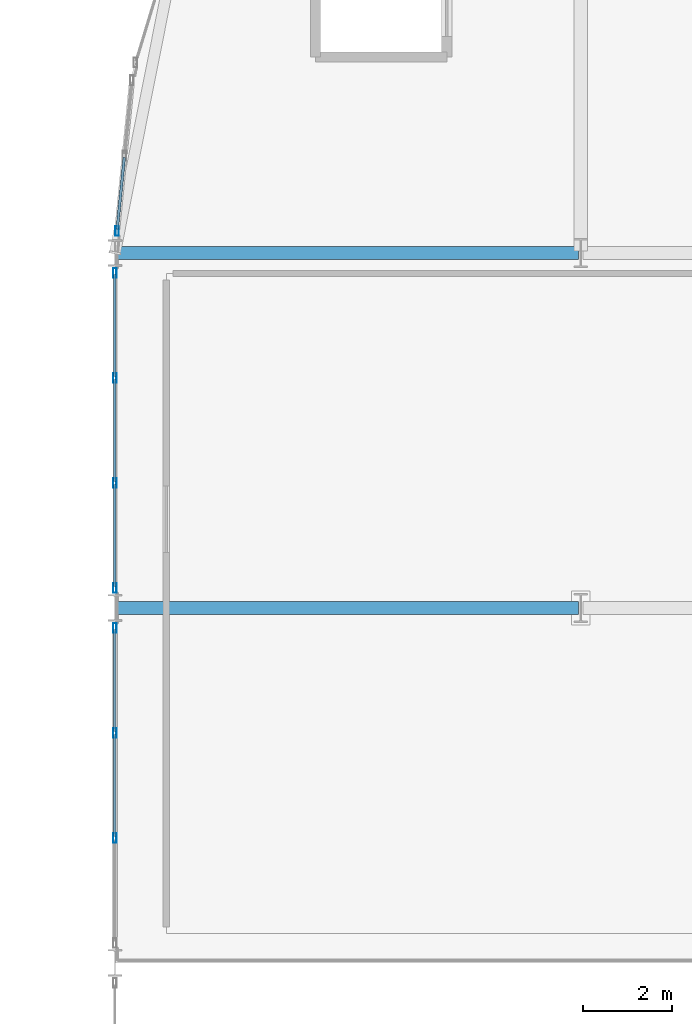
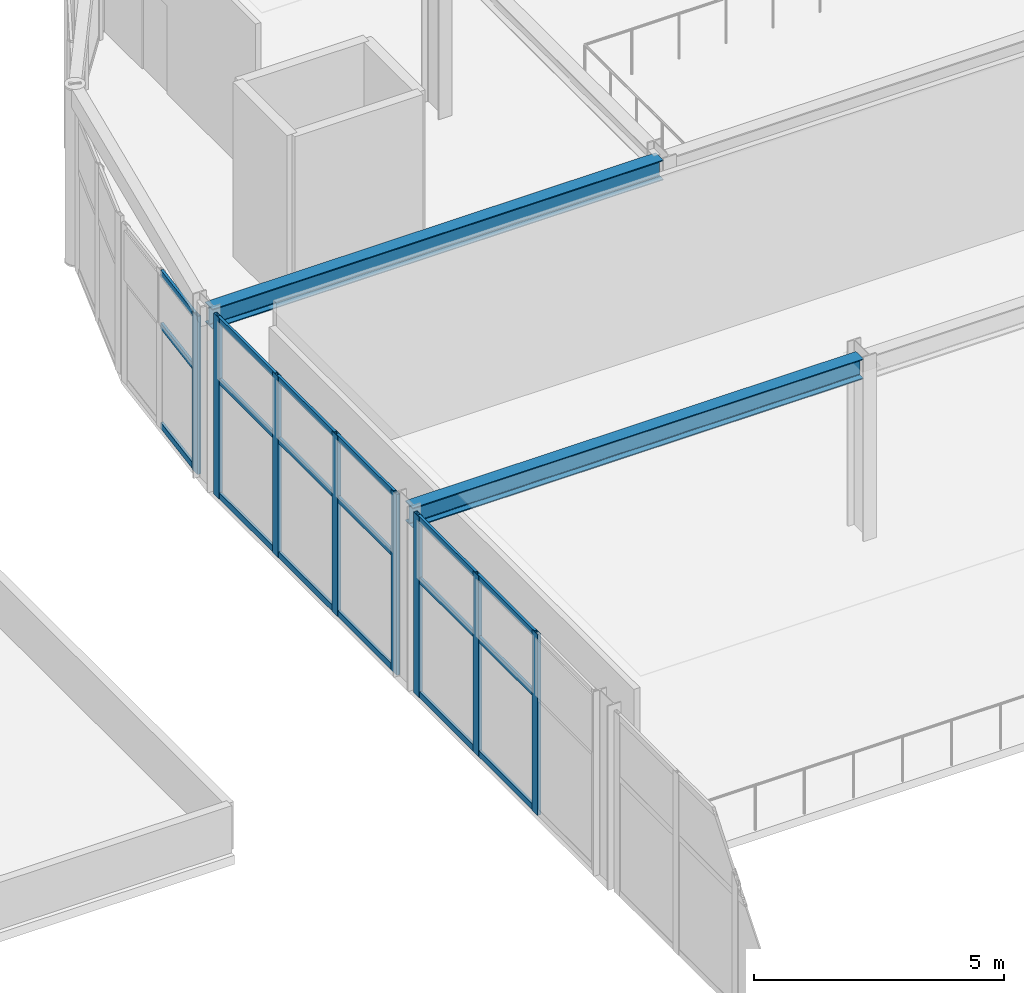
# One storey, part 32 of 105: 26 members, 2 beams, 3 elements without a shape of their own.
"""IFC4 building model written with IfcOpenShell, lengths in metres."""

from ifc_helpers import new_model, si_unit, direction, frame, origin, origin_2d, place, context, subcontext, project, spatial, hollow_rectangle, i_section, extrude, material, layer, layer_set, material_profile, profile_set, type_object, element, aggregate, save


model = new_model("IFC4")

# Units and contexts
model_context = context("Model", 3, precision=1e-05, world=origin(), true_north=direction((0.0, 1.0)))
body_context = subcontext(model_context, "Body", "Model", "MODEL_VIEW")
ifc_project = project(units=[si_unit("LENGTHUNIT", "METRE"), si_unit("AREAUNIT", "SQUARE_METRE"), si_unit("VOLUMEUNIT", "CUBIC_METRE"), si_unit("PLANEANGLEUNIT", "RADIAN"), si_unit("MASSUNIT", "GRAM", prefix="KILO")], contexts=[model_context])

# Site, building, storey
site_placement = place(None, origin())
site = spatial("IfcSite", under=ifc_project, at=site_placement, CompositionType="ELEMENT")
building_placement = place(site_placement, origin())
building = spatial("IfcBuilding", under=site, at=building_placement, Name="Marlcrest Central Station", CompositionType="ELEMENT")
storey_placement = place(building_placement, frame((0.0, 0.0, 15.0)))
storey = spatial("IfcBuildingStorey", under=building, at=storey_placement, Name="L03", CompositionType="ELEMENT", Elevation=15.0)

# Beams
ifc_material_1 = material(Name="Steel S355", Category="steel")
ifc_material_profile_1 = material_profile(ifc_material_1, i_section(OverallWidth=0.300048828125, OverallDepth=0.489990234375, WebThickness=0.011962890625, FlangeThickness=0.02294921875, FilletRadius=0.027099609375, at=origin_2d()), Name="HEA 500")
ifc_profile_set_1 = profile_set([ifc_material_profile_1], Name="Steel S355")
beam_type = type_object("IfcBeamType", Name="BM-10", PredefinedType="BEAM", material=ifc_profile_set_1)
for number, where, z_axis, x_axis, name in (
    (1, (87.050048828125, 102.5, 4.074951171875), (1.0, 0.0, 0.0), (0.0, 1.0, 0.0), "bm-BM-10-L03-01221"),
    (2, (87.050048828125, 110.5, 4.074951171875), (1.0, 0.0, 0.0), (0.0, 1.0, 0.0), "bm-BM-10-L03-01228"),
):
    element("IfcBeam", number, at=place(storey_placement, frame(where, z_axis=z_axis, x_axis=x_axis)), inside=storey, type_object=beam_type, Name=name, PredefinedType="BEAM", context=body_context, shape_type="SweptSolid", body=[
        extrude(i_section(OverallWidth=0.300048828125, OverallDepth=0.489990234375, WebThickness=0.011962890625, FlangeThickness=0.02294921875, FilletRadius=0.027099609375, at=origin_2d()), origin(), (0.0, 0.0, 1.0), 10.39990234375),
    ])

# Curtain wall, member
ifc_material_2 = material(Name="Anodised aluminium and hurricane laminated glass", Category="aluminium")
ifc_layer = layer(ifc_material_2, 0.219970703125, Name="CW-U1")
ifc_layer_set = layer_set([ifc_layer], Name="Anodised aluminium and hurricane laminated glass")
curtain_wall_type = type_object("IfcCurtainWallType", Name="CW-U1", PredefinedType="USERDEFINED", material=ifc_layer_set)
curtain_wall_1_placement = place(storey_placement, origin())
curtain_wall_1 = element("IfcCurtainWall", 3, at=curtain_wall_1_placement, inside=storey, type_object=curtain_wall_type, Name="cw-L03-0083", ObjectType="UNITISED_CURTAIN_WALL", PredefinedType="USERDEFINED")
ifc_material_3 = material(Name="Anodised aluminium 6063-T6", Category="aluminium")
ifc_material_profile_2 = material_profile(ifc_material_3, hollow_rectangle(XDim=0.080078125, YDim=0.219970703125, WallThickness=0.006103515625, at=origin_2d()), Name="AA-RHS 220x80x6")
ifc_profile_set_2 = profile_set([ifc_material_profile_2], Name="Anodised aluminium 6063-T6")
member_type_1 = type_object("IfcMemberType", Name="ML-01", PredefinedType="MULLION", material=ifc_profile_set_2)
member_1_placement = place(storey_placement, frame((87.049072265625, 110.998291015625, -0.030029296875), z_axis=(0.0, 0.0, 1.0), x_axis=(1.0, 0.0, 0.0)))
member_1 = element("IfcMember", 4, at=member_1_placement, type_object=member_type_1, Name="cw-L03-0083-ml-0", PredefinedType="MULLION", context=body_context, shape_type="SweptSolid", body=[
    extrude(hollow_rectangle(XDim=0.080078125, YDim=0.219970703125, WallThickness=0.006103515625, at=origin_2d()), origin(), (0.0, 0.0, 1.0), 3.860107421875),
])

# Curtain wall, members
curtain_wall_2_placement = place(storey_placement, origin())
curtain_wall_2 = element("IfcCurtainWall", 5, at=curtain_wall_2_placement, inside=storey, type_object=curtain_wall_type, Name="cw-L03-0137", ObjectType="UNITISED_CURTAIN_WALL", PredefinedType="USERDEFINED")
member_2_placement = place(storey_placement, frame((87.0, 97.316650390625, -0.030029296875), z_axis=(0.0, 0.0, 1.0), x_axis=(1.0, 0.0, 0.0)))
member_2 = element("IfcMember", 6, at=member_2_placement, type_object=member_type_1, Name="cw-L03-0137-ml-1", PredefinedType="MULLION", context=body_context, shape_type="SweptSolid", body=[
    extrude(hollow_rectangle(XDim=0.080078125, YDim=0.219970703125, WallThickness=0.006103515625, at=origin_2d()), origin(), (0.0, 0.0, 1.0), 4.409912109375),
])
member_3_placement = place(storey_placement, frame((87.0, 99.683349609375, -0.030029296875), z_axis=(0.0, 0.0, 1.0), x_axis=(1.0, 0.0, 0.0)))
member_3 = element("IfcMember", 7, at=member_3_placement, type_object=member_type_1, Name="cw-L03-0137-ml-2", PredefinedType="MULLION", context=body_context, shape_type="SweptSolid", body=[
    extrude(hollow_rectangle(XDim=0.080078125, YDim=0.219970703125, WallThickness=0.006103515625, at=origin_2d()), origin(), (0.0, 0.0, 1.0), 4.409912109375),
])
member_4_placement = place(storey_placement, frame((87.0, 102.050048828125, -0.030029296875), z_axis=(0.0, 0.0, 1.0), x_axis=(1.0, 0.0, 0.0)))
member_4 = element("IfcMember", 8, at=member_4_placement, type_object=member_type_1, Name="cw-L03-0137-ml-3", PredefinedType="MULLION", context=body_context, shape_type="SweptSolid", body=[
    extrude(hollow_rectangle(XDim=0.080078125, YDim=0.219970703125, WallThickness=0.006103515625, at=origin_2d()), origin(), (0.0, 0.0, 1.0), 4.409912109375),
])

curtain_wall_3_placement = place(storey_placement, origin())
curtain_wall_3 = element("IfcCurtainWall", 9, at=curtain_wall_3_placement, inside=storey, type_object=curtain_wall_type, Name="cw-L03-0141", ObjectType="UNITISED_CURTAIN_WALL", PredefinedType="USERDEFINED")
member_5_placement = place(storey_placement, frame((87.0, 102.949951171875, -0.030029296875), z_axis=(0.0, 0.0, 1.0), x_axis=(1.0, 0.0, 0.0)))
member_5 = element("IfcMember", 10, at=member_5_placement, type_object=member_type_1, Name="cw-L03-0141-ml-0", PredefinedType="MULLION", context=body_context, shape_type="SweptSolid", body=[
    extrude(hollow_rectangle(XDim=0.080078125, YDim=0.219970703125, WallThickness=0.006103515625, at=origin_2d()), origin(), (0.0, 0.0, 1.0), 4.409912109375),
])
member_6_placement = place(storey_placement, frame((87.0, 105.316650390625, -0.030029296875), z_axis=(0.0, 0.0, 1.0), x_axis=(1.0, 0.0, 0.0)))
member_6 = element("IfcMember", 11, at=member_6_placement, type_object=member_type_1, Name="cw-L03-0141-ml-1", PredefinedType="MULLION", context=body_context, shape_type="SweptSolid", body=[
    extrude(hollow_rectangle(XDim=0.080078125, YDim=0.219970703125, WallThickness=0.006103515625, at=origin_2d()), origin(), (0.0, 0.0, 1.0), 4.409912109375),
])
member_7_placement = place(storey_placement, frame((87.0, 107.683349609375, -0.030029296875), z_axis=(0.0, 0.0, 1.0), x_axis=(1.0, 0.0, 0.0)))
member_7 = element("IfcMember", 12, at=member_7_placement, type_object=member_type_1, Name="cw-L03-0141-ml-2", PredefinedType="MULLION", context=body_context, shape_type="SweptSolid", body=[
    extrude(hollow_rectangle(XDim=0.080078125, YDim=0.219970703125, WallThickness=0.006103515625, at=origin_2d()), origin(), (0.0, 0.0, 1.0), 4.409912109375),
])
member_8_placement = place(storey_placement, frame((87.0, 110.050048828125, -0.030029296875), z_axis=(0.0, 0.0, 1.0), x_axis=(1.0, 0.0, 0.0)))
member_8 = element("IfcMember", 13, at=member_8_placement, type_object=member_type_1, Name="cw-L03-0141-ml-3", PredefinedType="MULLION", context=body_context, shape_type="SweptSolid", body=[
    extrude(hollow_rectangle(XDim=0.080078125, YDim=0.219970703125, WallThickness=0.006103515625, at=origin_2d()), origin(), (0.0, 0.0, 1.0), 4.409912109375),
])

# Member
ifc_material_profile_3 = material_profile(ifc_material_3, hollow_rectangle(XDim=0.06005859375, YDim=0.14990234375, WallThickness=0.00390625, at=origin_2d()), Name="AA-RHS 150x60x4")
ifc_profile_set_3 = profile_set([ifc_material_profile_3], Name="Anodised aluminium 6063-T6")
member_type_2 = type_object("IfcMemberType", Name="TR-01", PredefinedType="USERDEFINED", material=ifc_profile_set_3)
member_9_placement = place(storey_placement, frame((87.052978515625, 111.0361328125, 0.0400390625), z_axis=(0.098005057893, 0.995185916614, 0.0), x_axis=(-0.995185916614, 0.098005057893, 0.0)))
member_9 = element("IfcMember", 14, at=member_9_placement, type_object=member_type_2, Name="cw-L03-0083-tr-0-sill", ObjectType="TRANSOM", PredefinedType="USERDEFINED", context=body_context, shape_type="SweptSolid", body=[
    extrude(hollow_rectangle(XDim=0.06005859375, YDim=0.14990234375, WallThickness=0.00390625, at=origin_2d()), origin(), (0.0, 0.0, 1.0), 1.629150390625),
])

member_10_placement = place(storey_placement, frame((87.052978515625, 111.0361328125, 2.469970703125), z_axis=(0.098005057893, 0.995185916614, 0.0), x_axis=(-0.995185916614, 0.098005057893, 0.0)))
member_10 = element("IfcMember", 15, at=member_10_placement, type_object=member_type_2, Name="cw-L03-0083-tr-0-mid", ObjectType="TRANSOM", PredefinedType="USERDEFINED", context=body_context, shape_type="SweptSolid", body=[
    extrude(hollow_rectangle(XDim=0.06005859375, YDim=0.14990234375, WallThickness=0.00390625, at=origin_2d()), origin(), (0.0, 0.0, 1.0), 1.629150390625),
])

member_11_placement = place(storey_placement, frame((87.052978515625, 111.0361328125, 3.760009765625), z_axis=(0.098005057893, 0.995185916614, 0.0), x_axis=(-0.995185916614, 0.098005057893, 0.0)))
member_11 = element("IfcMember", 16, at=member_11_placement, type_object=member_type_2, Name="cw-L03-0083-tr-0-head", ObjectType="TRANSOM", PredefinedType="USERDEFINED", context=body_context, shape_type="SweptSolid", body=[
    extrude(hollow_rectangle(XDim=0.06005859375, YDim=0.14990234375, WallThickness=0.00390625, at=origin_2d()), origin(), (0.0, 0.0, 1.0), 1.629150390625),
])

aggregate(curtain_wall_1, [member_1, member_9, member_10, member_11])

member_12_placement = place(storey_placement, frame((87.0, 97.354736328125, 0.0400390625), z_axis=(0.0, 1.0, 0.0), x_axis=(-1.0, 0.0, 0.0)))
member_12 = element("IfcMember", 17, at=member_12_placement, type_object=member_type_2, Name="cw-L03-0137-tr-1-sill", ObjectType="TRANSOM", PredefinedType="USERDEFINED", context=body_context, shape_type="SweptSolid", body=[
    extrude(hollow_rectangle(XDim=0.06005859375, YDim=0.14990234375, WallThickness=0.00390625, at=origin_2d()), origin(), (0.0, 0.0, 1.0), 2.29052734375),
])

member_13_placement = place(storey_placement, frame((87.0, 97.354736328125, 2.827880859375), z_axis=(0.0, 1.0, 0.0), x_axis=(-1.0, 0.0, 0.0)))
member_13 = element("IfcMember", 18, at=member_13_placement, type_object=member_type_2, Name="cw-L03-0137-tr-1-mid", ObjectType="TRANSOM", PredefinedType="USERDEFINED", context=body_context, shape_type="SweptSolid", body=[
    extrude(hollow_rectangle(XDim=0.06005859375, YDim=0.14990234375, WallThickness=0.00390625, at=origin_2d()), origin(), (0.0, 0.0, 1.0), 2.29052734375),
])

member_14_placement = place(storey_placement, frame((87.0, 97.354736328125, 4.31005859375), z_axis=(0.0, 1.0, 0.0), x_axis=(-1.0, 0.0, 0.0)))
member_14 = element("IfcMember", 19, at=member_14_placement, type_object=member_type_2, Name="cw-L03-0137-tr-1-head", ObjectType="TRANSOM", PredefinedType="USERDEFINED", context=body_context, shape_type="SweptSolid", body=[
    extrude(hollow_rectangle(XDim=0.06005859375, YDim=0.14990234375, WallThickness=0.00390625, at=origin_2d()), origin(), (0.0, 0.0, 1.0), 2.29052734375),
])

member_15_placement = place(storey_placement, frame((87.0, 99.72119140625, 0.0400390625), z_axis=(0.0, 1.0, 0.0), x_axis=(-1.0, 0.0, 0.0)))
member_15 = element("IfcMember", 20, at=member_15_placement, type_object=member_type_2, Name="cw-L03-0137-tr-2-sill", ObjectType="TRANSOM", PredefinedType="USERDEFINED", context=body_context, shape_type="SweptSolid", body=[
    extrude(hollow_rectangle(XDim=0.06005859375, YDim=0.14990234375, WallThickness=0.00390625, at=origin_2d()), origin(), (0.0, 0.0, 1.0), 2.290771484375),
])

member_16_placement = place(storey_placement, frame((87.0, 99.72119140625, 2.827880859375), z_axis=(0.0, 1.0, 0.0), x_axis=(-1.0, 0.0, 0.0)))
member_16 = element("IfcMember", 21, at=member_16_placement, type_object=member_type_2, Name="cw-L03-0137-tr-2-mid", ObjectType="TRANSOM", PredefinedType="USERDEFINED", context=body_context, shape_type="SweptSolid", body=[
    extrude(hollow_rectangle(XDim=0.06005859375, YDim=0.14990234375, WallThickness=0.00390625, at=origin_2d()), origin(), (0.0, 0.0, 1.0), 2.290771484375),
])

member_17_placement = place(storey_placement, frame((87.0, 99.72119140625, 4.31005859375), z_axis=(0.0, 1.0, 0.0), x_axis=(-1.0, 0.0, 0.0)))
member_17 = element("IfcMember", 22, at=member_17_placement, type_object=member_type_2, Name="cw-L03-0137-tr-2-head", ObjectType="TRANSOM", PredefinedType="USERDEFINED", context=body_context, shape_type="SweptSolid", body=[
    extrude(hollow_rectangle(XDim=0.06005859375, YDim=0.14990234375, WallThickness=0.00390625, at=origin_2d()), origin(), (0.0, 0.0, 1.0), 2.290771484375),
])

aggregate(curtain_wall_2, [member_2, member_3, member_4, member_12, member_13, member_14, member_15, member_16, member_17])

member_18_placement = place(storey_placement, frame((87.0, 102.988037109375, 0.0400390625), z_axis=(0.0, 1.0, 0.0), x_axis=(-1.0, 0.0, 0.0)))
member_18 = element("IfcMember", 23, at=member_18_placement, type_object=member_type_2, Name="cw-L03-0141-tr-0-sill", ObjectType="TRANSOM", PredefinedType="USERDEFINED", context=body_context, shape_type="SweptSolid", body=[
    extrude(hollow_rectangle(XDim=0.06005859375, YDim=0.14990234375, WallThickness=0.00390625, at=origin_2d()), origin(), (0.0, 0.0, 1.0), 2.290771484375),
])

member_19_placement = place(storey_placement, frame((87.0, 102.988037109375, 2.827880859375), z_axis=(0.0, 1.0, 0.0), x_axis=(-1.0, 0.0, 0.0)))
member_19 = element("IfcMember", 24, at=member_19_placement, type_object=member_type_2, Name="cw-L03-0141-tr-0-mid", ObjectType="TRANSOM", PredefinedType="USERDEFINED", context=body_context, shape_type="SweptSolid", body=[
    extrude(hollow_rectangle(XDim=0.06005859375, YDim=0.14990234375, WallThickness=0.00390625, at=origin_2d()), origin(), (0.0, 0.0, 1.0), 2.290771484375),
])

member_20_placement = place(storey_placement, frame((87.0, 102.988037109375, 4.31005859375), z_axis=(0.0, 1.0, 0.0), x_axis=(-1.0, 0.0, 0.0)))
member_20 = element("IfcMember", 25, at=member_20_placement, type_object=member_type_2, Name="cw-L03-0141-tr-0-head", ObjectType="TRANSOM", PredefinedType="USERDEFINED", context=body_context, shape_type="SweptSolid", body=[
    extrude(hollow_rectangle(XDim=0.06005859375, YDim=0.14990234375, WallThickness=0.00390625, at=origin_2d()), origin(), (0.0, 0.0, 1.0), 2.290771484375),
])

member_21_placement = place(storey_placement, frame((87.0, 105.354736328125, 0.0400390625), z_axis=(0.0, 1.0, 0.0), x_axis=(-1.0, 0.0, 0.0)))
member_21 = element("IfcMember", 26, at=member_21_placement, type_object=member_type_2, Name="cw-L03-0141-tr-1-sill", ObjectType="TRANSOM", PredefinedType="USERDEFINED", context=body_context, shape_type="SweptSolid", body=[
    extrude(hollow_rectangle(XDim=0.06005859375, YDim=0.14990234375, WallThickness=0.00390625, at=origin_2d()), origin(), (0.0, 0.0, 1.0), 2.29052734375),
])

member_22_placement = place(storey_placement, frame((87.0, 105.354736328125, 2.827880859375), z_axis=(0.0, 1.0, 0.0), x_axis=(-1.0, 0.0, 0.0)))
member_22 = element("IfcMember", 27, at=member_22_placement, type_object=member_type_2, Name="cw-L03-0141-tr-1-mid", ObjectType="TRANSOM", PredefinedType="USERDEFINED", context=body_context, shape_type="SweptSolid", body=[
    extrude(hollow_rectangle(XDim=0.06005859375, YDim=0.14990234375, WallThickness=0.00390625, at=origin_2d()), origin(), (0.0, 0.0, 1.0), 2.29052734375),
])

member_23_placement = place(storey_placement, frame((87.0, 105.354736328125, 4.31005859375), z_axis=(0.0, 1.0, 0.0), x_axis=(-1.0, 0.0, 0.0)))
member_23 = element("IfcMember", 28, at=member_23_placement, type_object=member_type_2, Name="cw-L03-0141-tr-1-head", ObjectType="TRANSOM", PredefinedType="USERDEFINED", context=body_context, shape_type="SweptSolid", body=[
    extrude(hollow_rectangle(XDim=0.06005859375, YDim=0.14990234375, WallThickness=0.00390625, at=origin_2d()), origin(), (0.0, 0.0, 1.0), 2.29052734375),
])

member_24_placement = place(storey_placement, frame((87.0, 107.72119140625, 0.0400390625), z_axis=(0.0, 1.0, 0.0), x_axis=(-1.0, 0.0, 0.0)))
member_24 = element("IfcMember", 29, at=member_24_placement, type_object=member_type_2, Name="cw-L03-0141-tr-2-sill", ObjectType="TRANSOM", PredefinedType="USERDEFINED", context=body_context, shape_type="SweptSolid", body=[
    extrude(hollow_rectangle(XDim=0.06005859375, YDim=0.14990234375, WallThickness=0.00390625, at=origin_2d()), origin(), (0.0, 0.0, 1.0), 2.290771484375),
])

member_25_placement = place(storey_placement, frame((87.0, 107.72119140625, 2.827880859375), z_axis=(0.0, 1.0, 0.0), x_axis=(-1.0, 0.0, 0.0)))
member_25 = element("IfcMember", 30, at=member_25_placement, type_object=member_type_2, Name="cw-L03-0141-tr-2-mid", ObjectType="TRANSOM", PredefinedType="USERDEFINED", context=body_context, shape_type="SweptSolid", body=[
    extrude(hollow_rectangle(XDim=0.06005859375, YDim=0.14990234375, WallThickness=0.00390625, at=origin_2d()), origin(), (0.0, 0.0, 1.0), 2.290771484375),
])

member_26_placement = place(storey_placement, frame((87.0, 107.72119140625, 4.31005859375), z_axis=(0.0, 1.0, 0.0), x_axis=(-1.0, 0.0, 0.0)))
member_26 = element("IfcMember", 31, at=member_26_placement, type_object=member_type_2, Name="cw-L03-0141-tr-2-head", ObjectType="TRANSOM", PredefinedType="USERDEFINED", context=body_context, shape_type="SweptSolid", body=[
    extrude(hollow_rectangle(XDim=0.06005859375, YDim=0.14990234375, WallThickness=0.00390625, at=origin_2d()), origin(), (0.0, 0.0, 1.0), 2.290771484375),
])

aggregate(curtain_wall_3, [member_5, member_6, member_7, member_8, member_18, member_19, member_20, member_21, member_22, member_23, member_24, member_25, member_26])

save(model, "model.ifc")
